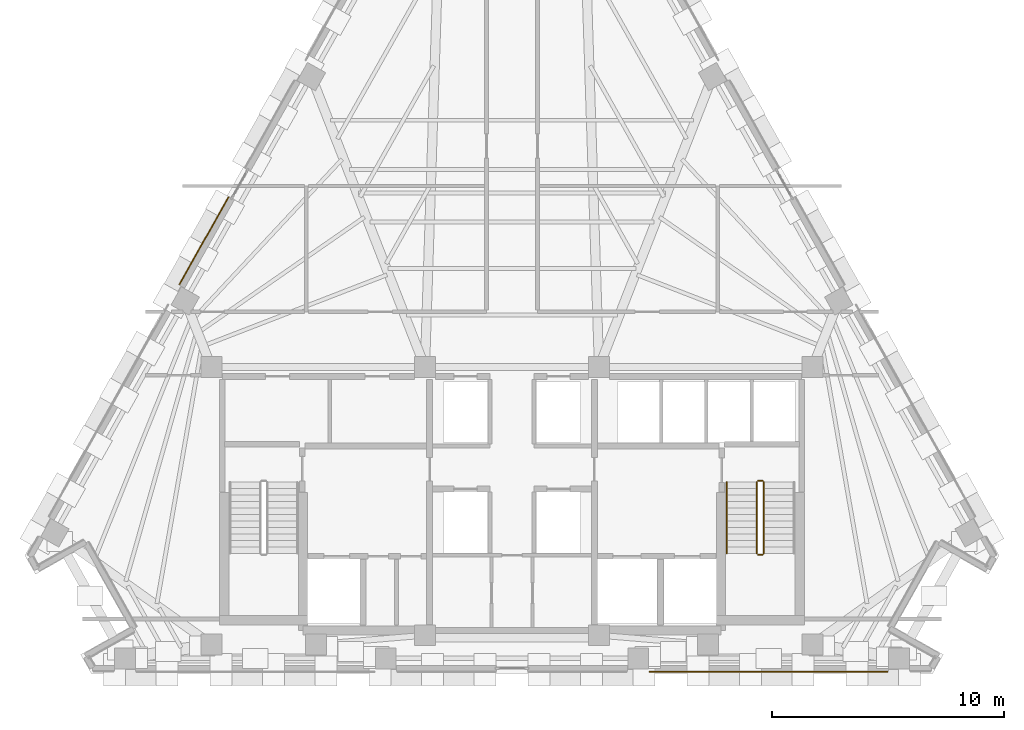
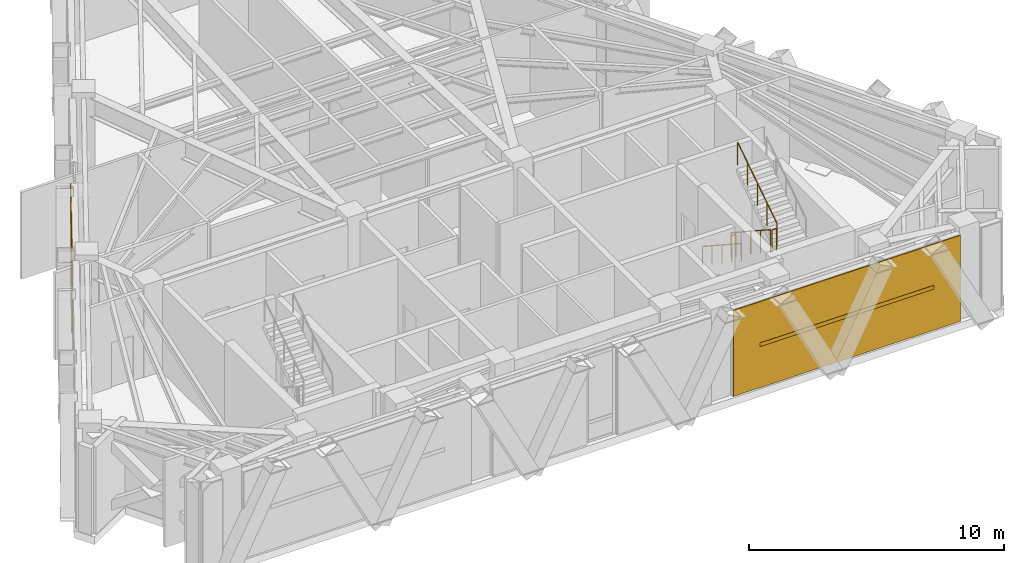
# One storey, part 10 of 11: 5 railings, 2 coverings, 1 shading device.
"""IFC4 building model written with IfcOpenShell, lengths in metres."""

from ifc_helpers import new_model, si_unit, direction, frame, origin, origin_2d, place, context, subcontext, project, spatial, polyline, rectangle, circle, outline, extrude, material, layer, layer_set, material_profile, profile_set, type_object, element, save


model = new_model("IFC4")

# Units and contexts
model_context = context("Model", 3, precision=1e-05, world=origin(), true_north=direction((0.0, 1.0)))
body_context = subcontext(model_context, "Body", "Model", "MODEL_VIEW")
ifc_project = project(units=[si_unit("LENGTHUNIT", "METRE"), si_unit("AREAUNIT", "SQUARE_METRE"), si_unit("VOLUMEUNIT", "CUBIC_METRE"), si_unit("PLANEANGLEUNIT", "RADIAN"), si_unit("MASSUNIT", "GRAM", prefix="KILO")], contexts=[model_context])

# Site, building, storey
site_placement = place(None, origin())
site = spatial("IfcSite", under=ifc_project, at=site_placement, CompositionType="ELEMENT")
building_placement = place(site_placement, origin())
building = spatial("IfcBuilding", under=site, at=building_placement, Name="Quenlor Broadcast Tower", CompositionType="ELEMENT")
storey_placement = place(building_placement, frame((0.0, 0.0, 179.0)))
storey = spatial("IfcBuildingStorey", under=building, at=storey_placement, Name="L49", CompositionType="ELEMENT", Elevation=179.0)

# Coverings
ifc_material_1 = material(Name="Architectural Terracotta Ceramic", Category="masonry")
ifc_layer = layer(ifc_material_1, 0.044921875)
ifc_layer_set = layer_set([ifc_layer], Name="Fluted Terracotta Rainscreen Cladding Panel")
covering_type = type_object("IfcCoveringType", Name="Fluted Terracotta Rainscreen Cladding Panel", PredefinedType="CLADDING", material=ifc_layer_set)
covering_1_placement = place(storey_placement, frame((0.0, 0.0, 0.02001953125)))
element("IfcCovering", 1, at=covering_1_placement, inside=storey, type_object=covering_type, Name="L49 Terracotta Rainscreen Cladding L49-EW-SA", PredefinedType="CLADDING", context=body_context, shape_type="SweptSolid", body=[
    extrude(outline(polyline([(16.19091796875, -17.89697265625), (5.9228515625, -17.89697265625), (5.9228515625, -17.94189453125), (16.19091796875, -17.94189453125), (16.19091796875, -17.89697265625)])), origin(), (0.0, 0.0, 1.0), 4.10986328125),
])
covering_2_placement = place(storey_placement, frame((0.0, 0.0, 0.02001953125)))
element("IfcCovering", 2, at=covering_2_placement, inside=storey, type_object=covering_type, Name="L49 Terracotta Rainscreen Cladding L49-NW-SP1", PredefinedType="CLADDING", context=body_context, shape_type="SweptSolid", body=[
    extrude(outline(polyline([(-14.30908203125, -1.248291015625), (-12.1904296875, 2.517822265625), (-12.229736328125, 2.539794921875), (-14.34814453125, -1.226318359375), (-14.30908203125, -1.248291015625)])), origin(), (0.0, 0.0, 1.0), 4.10986328125),
])

# Railing
ifc_material_2 = material(Name="Anodised Aluminium", Category="aluminium")
railing_type_1 = type_object("IfcRailingType", Name="Stainless Aluminium Wall Handrail 900", PredefinedType="HANDRAIL", material=ifc_material_2)
railing_1_placement = place(storey_placement, frame((9.25, -9.75, 0.183349609375)))
element("IfcRailing", 3, at=railing_1_placement, inside=storey, type_object=railing_type_1, Name="L49 ST-2 stair handrail 1", PredefinedType="HANDRAIL", context=body_context, shape_type="SweptSolid", body=[
    extrude(circle(Radius=0.02392578125, at=origin_2d()), frame((0.0, 0.0, 0.8759765625), z_axis=(0.0, -0.836633000464, 0.547763838287), x_axis=(1.0, 0.0, 0.0)), (0.0, 0.0, 1.0), 3.681396484375),
    extrude(circle(Radius=0.02099609375, at=origin_2d()), origin(), (0.0, 0.0, 1.0), 0.851806640625),
    extrude(circle(Radius=0.02099609375, at=origin_2d()), frame((0.0, -0.77001953125, 0.504150390625)), (0.0, 0.0, 1.0), 0.851806640625),
    extrude(circle(Radius=0.02099609375, at=origin_2d()), frame((0.0, -1.5400390625, 1.00830078125)), (0.0, 0.0, 1.0), 0.851806640625),
    extrude(circle(Radius=0.02099609375, at=origin_2d()), frame((0.0, -2.31005859375, 1.512451171875)), (0.0, 0.0, 1.0), 0.851806640625),
    extrude(circle(Radius=0.02099609375, at=origin_2d()), frame((0.0, -3.080078125, 2.0166015625)), (0.0, 0.0, 1.0), 0.851806640625),
])

# Shading device
ifc_material_3 = material(Name="Architectural Terracotta Ceramic", Category="masonry")
ifc_material_profile = material_profile(ifc_material_3, rectangle(XDim=0.06005859375, YDim=0.179931640625, at=origin_2d()))
ifc_profile_set = profile_set([ifc_material_profile], Name="Architectural Terracotta Ceramic LVR60x180")
shading_device_type = type_object("IfcShadingDeviceType", Name="Terracotta Acoustic Plant Weather Louvre 180", PredefinedType="JALOUSIE", material=ifc_profile_set)
shading_device_placement = place(storey_placement, frame((14.9814453125, -17.923095703125, 2.074951171875), z_axis=(-1.0, 0.0, 0.0), x_axis=(0.0, -1.0, 0.0)))
element("IfcShadingDevice", 4, at=shading_device_placement, inside=storey, type_object=shading_device_type, Name="L49 Plant Weather Louvre L49-LV-SA", PredefinedType="JALOUSIE", context=body_context, shape_type="SweptSolid", body=[
    extrude(rectangle(XDim=0.06005859375, YDim=0.179931640625, at=origin_2d()), origin(), (0.0, 0.0, 1.0), 7.849365234375),
])

# Railings
ifc_material_4 = material(Name="Steel S355", Category="steel")
railing_type_2 = type_object("IfcRailingType", Name="Tubular Steel S355 Stair Guardrail 1100", PredefinedType="BALUSTRADE", material=ifc_material_4)
railing_2_placement = place(storey_placement, frame((10.550048828125, -9.75, 0.183349609375)))
element("IfcRailing", 5, at=railing_2_placement, inside=storey, type_object=railing_type_2, Name="L49 ST-2 stair guard 1", PredefinedType="BALUSTRADE", context=body_context, shape_type="SweptSolid", body=[
    extrude(circle(Radius=0.02392578125, at=origin_2d()), frame((0.0, 0.0, 1.076171875), z_axis=(0.0, -0.836633000464, 0.547763838287), x_axis=(1.0, 0.0, 0.0)), (0.0, 0.0, 1.0), 3.681396484375),
    extrude(circle(Radius=0.02099609375, at=origin_2d()), origin(), (0.0, 0.0, 1.0), 1.052001953125),
    extrude(circle(Radius=0.02099609375, at=origin_2d()), frame((0.0, -0.77001953125, 0.504150390625)), (0.0, 0.0, 1.0), 1.052001953125),
    extrude(circle(Radius=0.02099609375, at=origin_2d()), frame((0.0, -1.5400390625, 1.00830078125)), (0.0, 0.0, 1.0), 1.052001953125),
    extrude(circle(Radius=0.02099609375, at=origin_2d()), frame((0.0, -2.31005859375, 1.512451171875)), (0.0, 0.0, 1.0), 1.052001953125),
    extrude(circle(Radius=0.02099609375, at=origin_2d()), frame((0.0, -3.080078125, 2.0166015625)), (0.0, 0.0, 1.0), 1.052001953125),
])
railing_3_placement = place(storey_placement, frame((10.60009765625, -12.8798828125, 2.199951171875)))
element("IfcRailing", 6, at=railing_3_placement, inside=storey, type_object=railing_type_2, Name="L49 ST-2 stair guard 2", PredefinedType="BALUSTRADE", context=body_context, shape_type="SweptSolid", body=[
    extrude(circle(Radius=0.02392578125, at=origin_2d()), frame((0.0, 0.0, 1.076171875), z_axis=(1.0, 0.0, 0.0), x_axis=(0.0, 1.0, 0.0)), (0.0, 0.0, 1.0), 0.199951171875),
    extrude(circle(Radius=0.02099609375, at=origin_2d()), origin(), (0.0, 0.0, 1.0), 1.052001953125),
    extrude(circle(Radius=0.02099609375, at=origin_2d()), frame((0.199951171875, 0.0, 0.0)), (0.0, 0.0, 1.0), 1.052001953125),
])
railing_4_placement = place(storey_placement, frame((10.85009765625, -12.830078125, 2.38330078125)))
element("IfcRailing", 7, at=railing_4_placement, inside=storey, type_object=railing_type_2, Name="L49 ST-2 stair guard 3", PredefinedType="BALUSTRADE", context=body_context, shape_type="SweptSolid", body=[
    extrude(circle(Radius=0.02392578125, at=origin_2d()), frame((0.0, 0.0, 1.076171875), z_axis=(0.0, 0.836633000464, 0.547763838287), x_axis=(-1.0, 0.0, 0.0)), (0.0, 0.0, 1.0), 3.681396484375),
    extrude(circle(Radius=0.02099609375, at=origin_2d()), origin(), (0.0, 0.0, 1.0), 1.052001953125),
    extrude(circle(Radius=0.02099609375, at=origin_2d()), frame((0.0, 0.77001953125, 0.504150390625)), (0.0, 0.0, 1.0), 1.052001953125),
    extrude(circle(Radius=0.02099609375, at=origin_2d()), frame((0.0, 1.5400390625, 1.00830078125)), (0.0, 0.0, 1.0), 1.052001953125),
    extrude(circle(Radius=0.02099609375, at=origin_2d()), frame((0.0, 2.31005859375, 1.512451171875)), (0.0, 0.0, 1.0), 1.052001953125),
    extrude(circle(Radius=0.02099609375, at=origin_2d()), frame((0.0, 3.080078125, 2.0166015625)), (0.0, 0.0, 1.0), 1.052001953125),
])
railing_5_placement = place(storey_placement, frame((10.60009765625, -9.699951171875, 0.0)))
element("IfcRailing", 8, at=railing_5_placement, inside=storey, type_object=railing_type_2, Name="L49 ST-2 stair guard 4", PredefinedType="BALUSTRADE", context=body_context, shape_type="SweptSolid", body=[
    extrude(circle(Radius=0.02392578125, at=origin_2d()), frame((0.0, 0.0, 1.076171875), z_axis=(1.0, 0.0, 0.0), x_axis=(0.0, 1.0, 0.0)), (0.0, 0.0, 1.0), 0.199951171875),
    extrude(circle(Radius=0.02099609375, at=origin_2d()), origin(), (0.0, 0.0, 1.0), 1.052001953125),
    extrude(circle(Radius=0.02099609375, at=origin_2d()), frame((0.199951171875, 0.0, 0.0)), (0.0, 0.0, 1.0), 1.052001953125),
])

save(model, "model.ifc")
